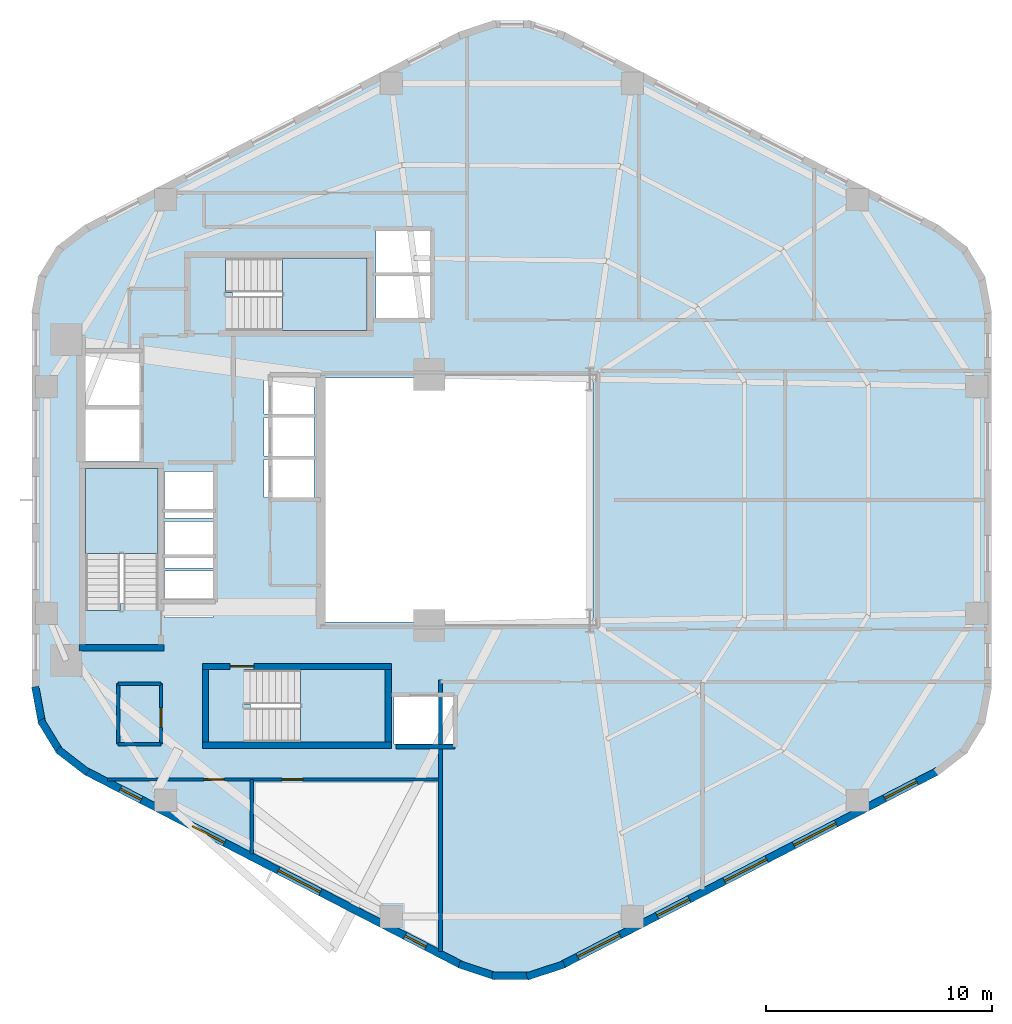
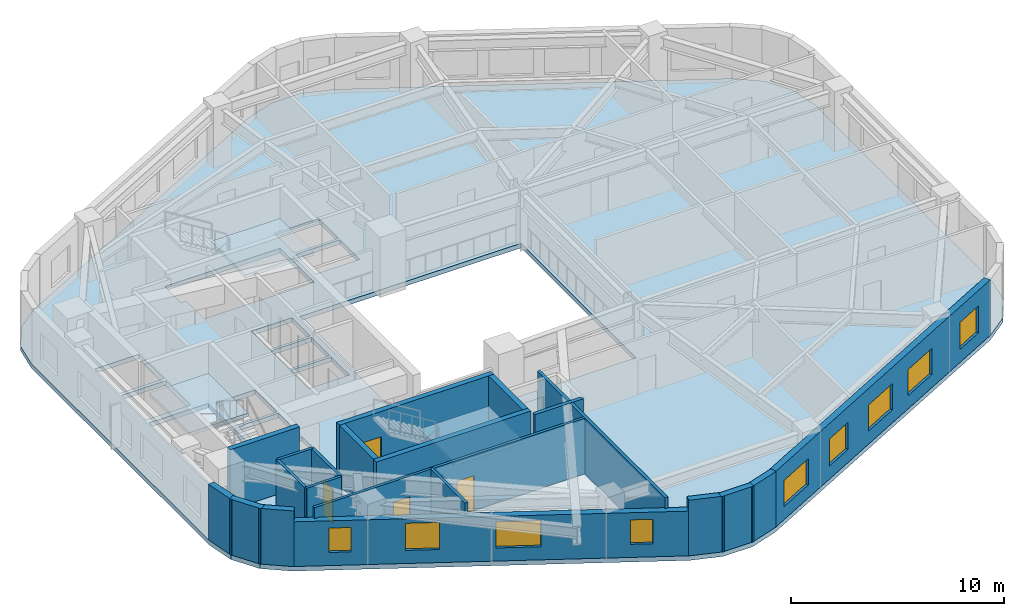
# One storey, part 2 of 6: 21 walls, 9 windows, 4 doors, 4 slabs, 13 openings, 3 elements without a shape of their own.
"""IFC4 building model written with IfcOpenShell, lengths in metres."""

from ifc_helpers import new_model, si_unit, direction, frame, frame_2d, origin, place, context, subcontext, project, spatial, polyline, rectangle, outline, extrude, material, layer, layer_set, type_object, element, fill, aggregate, save


model = new_model("IFC4")

# Units and contexts
model_context = context("Model", 3, precision=1e-05, world=origin(), true_north=direction((0.0, 1.0)))
body_context = subcontext(model_context, "Body", "Model", "MODEL_VIEW")
ifc_project = project(units=[si_unit("LENGTHUNIT", "METRE"), si_unit("AREAUNIT", "SQUARE_METRE"), si_unit("VOLUMEUNIT", "CUBIC_METRE"), si_unit("PLANEANGLEUNIT", "RADIAN"), si_unit("MASSUNIT", "GRAM", prefix="KILO"), si_unit("THERMODYNAMICTEMPERATUREUNIT", "KELVIN"), si_unit("POWERUNIT", "WATT")], contexts=[model_context])

# Site, building, storey
site_placement = place(None, origin())
site = spatial("IfcSite", under=ifc_project, at=site_placement, CompositionType="ELEMENT")
building_placement = place(site_placement, origin())
building = spatial("IfcBuilding", under=site, at=building_placement, Name="Skarre Station Tower", CompositionType="ELEMENT")
storey_placement = place(building_placement, frame((0.0, 0.0, 156.75)))
storey = spatial("IfcBuildingStorey", under=building, at=storey_placement, Name="L42", CompositionType="ELEMENT", Elevation=156.75)

# Stair, slab
ifc_material_1 = material(Name="Concrete C40/50", Category="concrete")
stair_type_1 = type_object("IfcStairType", Name="Reinforced Concrete Exit Stair ST-1", PredefinedType="HALF_TURN_STAIR", material=ifc_material_1)
stair_1_placement = place(storey_placement, origin())
stair_1 = element("IfcStair", 1, at=stair_1_placement, inside=storey, type_object=stair_type_1, Name="L42 Core Exit Stair ST-1", PredefinedType="HALF_TURN_STAIR")
ifc_layer_1 = layer(ifc_material_1, 0.219970703125, Name="Concrete C40/50")
ifc_layer_set_1 = layer_set([ifc_layer_1], Name="Concrete C40/50")
slab_type_1 = type_object("IfcSlabType", Name="Reinforced Concrete Stair & Ramp Landing 220", PredefinedType="LANDING", material=ifc_layer_set_1)
slab_1_placement = place(storey_placement, frame((0.0, 0.0, 1.52490234375)))
slab_1 = element("IfcSlab", 2, at=slab_1_placement, type_object=slab_type_1, Name="ST-1 landing 1", PredefinedType="LANDING", context=body_context, shape_type="SweptSolid", body=[
    extrude(outline(polyline([(20.35009765625, 21.639892578125), (20.35009765625, 25.39990234375), (17.14990234375, 25.39990234375), (17.14990234375, 21.639892578125), (20.35009765625, 21.639892578125)])), origin(), (0.0, 0.0, 1.0), 0.2001953125),
])
aggregate(stair_1, [slab_1])

stair_type_2 = type_object("IfcStairType", Name="Reinforced Concrete Exit Stair ST-2", PredefinedType="HALF_TURN_STAIR", material=ifc_material_1)
stair_2_placement = place(storey_placement, origin())
stair_2 = element("IfcStair", 3, at=stair_2_placement, inside=storey, type_object=stair_type_2, Name="L42 Core Exit Stair ST-2", PredefinedType="HALF_TURN_STAIR")
slab_2_placement = place(storey_placement, frame((0.0, 0.0, 1.52490234375)))
slab_2 = element("IfcSlab", 4, at=slab_2_placement, type_object=slab_type_1, Name="ST-2 landing 1", PredefinedType="LANDING", context=body_context, shape_type="SweptSolid", body=[
    extrude(outline(polyline([(26.669921875, 13.300048828125), (30.39990234375, 13.300048828125), (30.39990234375, 16.5), (26.669921875, 16.5), (26.669921875, 13.300048828125)])), origin(), (0.0, 0.0, 1.0), 0.2001953125),
])
aggregate(stair_2, [slab_2])

stair_type_3 = type_object("IfcStairType", Name="Reinforced Concrete Exit Stair ST-3", PredefinedType="HALF_TURN_STAIR", material=ifc_material_1)
stair_3_placement = place(storey_placement, origin())
stair_3 = element("IfcStair", 5, at=stair_3_placement, inside=storey, type_object=stair_type_3, Name="L42 Core Exit Stair ST-3", PredefinedType="HALF_TURN_STAIR")
slab_3_placement = place(storey_placement, frame((0.0, 0.0, 1.52490234375)))
slab_3 = element("IfcSlab", 6, at=slab_3_placement, type_object=slab_type_1, Name="ST-3 landing 1", PredefinedType="LANDING", context=body_context, shape_type="SweptSolid", body=[
    extrude(outline(polyline([(25.8701171875, 31.5), (29.60009765625, 31.5), (29.60009765625, 34.699951171875), (25.8701171875, 34.699951171875), (25.8701171875, 31.5)])), origin(), (0.0, 0.0, 1.0), 0.2001953125),
])
aggregate(stair_3, [slab_3])

# Slab
ifc_material_2 = material(Name="Concrete C50/60", Category="concrete")
ifc_layer_2 = layer(ifc_material_2, 0.260009765625, Name="Concrete C50/60")
ifc_layer_set_2 = layer_set([ifc_layer_2], Name="Concrete C50/60")
slab_type_2 = type_object("IfcSlabType", Name="Tower Typical Composite Floor Slab 260", PredefinedType="FLOOR", material=ifc_layer_set_2)
slab_4_placement = place(storey_placement, frame((0.0, 0.0, -0.260009765625)))
element("IfcSlab", 7, at=slab_4_placement, inside=storey, type_object=slab_type_2, Name="L42 Zone 2 Structural Floor Slab", PredefinedType="FLOOR", context=body_context, shape_type="SweptSolid", body=[
    extrude(outline(polyline([(57.218017578125, 32.35205078125), (56.93701171875, 33.873046875), (56.132080078125, 35.194091796875), (54.908935546875, 36.14111328125), (38.30908203125, 44.708984375), (36.7958984375, 45.2060546875), (35.2041015625, 45.2060546875), (33.69091796875, 44.708984375), (17.091064453125, 36.14111328125), (15.867919921875, 35.194091796875), (15.06298828125, 33.873046875), (14.781982421875, 32.35205078125), (14.781982421875, 15.64794921875), (15.06298828125, 14.126953125), (15.867919921875, 12.805908203125), (17.091064453125, 11.85888671875), (33.69091796875, 3.291015625), (35.2041015625, 2.7939453125), (36.7958984375, 2.7939453125), (38.30908203125, 3.291015625), (54.908935546875, 11.85888671875), (56.132080078125, 12.805908203125), (56.93701171875, 14.126953125), (57.218017578125, 15.64794921875), (57.218017578125, 32.35205078125)]), holes=[polyline([(18.669921875, 19.419921875), (18.669921875, 19.123046875), (17.14990234375, 19.123046875), (17.14990234375, 25.39990234375), (20.35009765625, 25.39990234375), (20.35009765625, 19.419921875), (18.669921875, 19.419921875)]), polyline([(24.449951171875, 14.97998046875), (24.153076171875, 14.97998046875), (24.153076171875, 16.5), (30.39990234375, 16.5), (30.39990234375, 13.300048828125), (24.449951171875, 13.300048828125), (24.449951171875, 14.97998046875)]), polyline([(23.64990234375, 33.179931640625), (23.35302734375, 33.179931640625), (23.35302734375, 34.699951171875), (29.60009765625, 34.699951171875), (29.60009765625, 31.5), (23.64990234375, 31.5), (23.64990234375, 33.179931640625)]), polyline([(17.14990234375, 28.0), (19.550048828125, 28.0), (19.550048828125, 25.699951171875), (17.14990234375, 25.699951171875), (17.14990234375, 28.0)]), polyline([(17.14990234375, 30.5), (19.550048828125, 30.5), (19.550048828125, 28.199951171875), (17.14990234375, 28.199951171875), (17.14990234375, 30.5)]), polyline([(30.800048828125, 15.300048828125), (33.39990234375, 15.300048828125), (33.39990234375, 13.199951171875), (30.800048828125, 13.199951171875), (30.800048828125, 15.300048828125)]), polyline([(25.050048828125, 25.800048828125), (27.25, 25.800048828125), (27.25, 24.10009765625), (25.050048828125, 24.10009765625), (25.050048828125, 25.800048828125)]), polyline([(25.050048828125, 27.64990234375), (27.25, 27.64990234375), (27.25, 25.949951171875), (25.050048828125, 25.949951171875), (25.050048828125, 27.64990234375)]), polyline([(25.050048828125, 29.5), (27.25, 29.5), (27.25, 27.800048828125), (25.050048828125, 27.800048828125), (25.050048828125, 29.5)]), polyline([(20.64990234375, 20.85009765625), (22.800048828125, 20.85009765625), (22.800048828125, 18.800048828125), (20.64990234375, 18.800048828125), (20.64990234375, 20.85009765625)]), polyline([(20.64990234375, 23.050048828125), (22.800048828125, 23.050048828125), (22.800048828125, 21.0), (20.64990234375, 21.0), (20.64990234375, 23.050048828125)]), polyline([(20.64990234375, 25.25), (22.800048828125, 25.25), (22.800048828125, 23.199951171875), (20.64990234375, 23.199951171875), (20.64990234375, 25.25)]), polyline([(30.0, 33.89990234375), (32.39990234375, 33.89990234375), (32.39990234375, 32.050048828125), (30.0, 32.050048828125), (30.0, 33.89990234375)]), polyline([(30.0, 35.89990234375), (32.39990234375, 35.89990234375), (32.39990234375, 34.050048828125), (30.0, 34.050048828125), (30.0, 35.89990234375)]), polyline([(27.60009765625, 29.39990234375), (39.60009765625, 29.39990234375), (39.60009765625, 18.60009765625), (27.60009765625, 18.60009765625), (27.60009765625, 29.39990234375)])]), origin(), (0.0, 0.0, 1.0), 0.260009765625),
])

# Walls
ifc_material_3 = material(Name="Acoustic Steel-Stud Gypsum Partition", Category="steel")
ifc_layer_3 = layer(ifc_material_3, 0.14990234375, Name="Acoustic Steel-Stud Gypsum Partition")
ifc_layer_set_3 = layer_set([ifc_layer_3], Name="Acoustic Steel-Stud Gypsum Partition")
wall_type_1 = type_object("IfcWallType", Name="Fire-Rated Corridor Acoustic Partition 150", PredefinedType="PARTITIONING", material=ifc_layer_set_3)
wall_1_placement = place(storey_placement, frame((18.60009765625, 15.8798828125, 0.0), z_axis=(0.0, 0.0, 1.0), x_axis=(0.0, -1.0, 0.0)))
element("IfcWall", 8, at=wall_1_placement, inside=storey, type_object=wall_type_1, Name="L42 Interior Partition WL-PT-L42-CSVC-W", PredefinedType="PARTITIONING", context=body_context, shape_type="SweptSolid", body=[
    extrude(rectangle(XDim=2.679931640625, YDim=0.14990234375, at=frame_2d((1.33984375, 0.0))), origin(), (0.0, 0.0, 1.0), 3.18994140625),
])
for number, where, z_axis, x_axis, name in (
    (9, (18.60009765625, 13.199951171875, 0.0), (0.0, 0.0, 1.0), (1.0, 0.0, 0.0), "L42 Interior Partition WL-PT-L42-CSVC-S"),
    (10, (18.60009765625, 15.8798828125, 0.0), (0.0, 0.0, 1.0), (1.0, 0.0, 0.0), "L42 Interior Partition WL-PT-L42-CSVC-N"),
):
    element("IfcWall", number, at=place(storey_placement, frame(where, z_axis=z_axis, x_axis=x_axis)), inside=storey, type_object=wall_type_1, Name=name, PredefinedType="PARTITIONING", context=body_context, shape_type="SweptSolid", body=[
        extrude(rectangle(XDim=1.889892578125, YDim=0.14990234375, at=frame_2d((0.94482421875, 0.0))), origin(), (0.0, 0.0, 1.0), 3.18994140625),
    ])

# Wall, opening, door
wall_2_placement = place(storey_placement, frame((20.489990234375, 13.199951171875, 0.0), z_axis=(0.0, 0.0, 1.0), x_axis=(0.0, 1.0, 0.0)))
wall_2 = element("IfcWall", 11, at=wall_2_placement, inside=storey, type_object=wall_type_1, Name="L42 Interior Partition WL-PT-L42-CSVC-E", PredefinedType="PARTITIONING", context=body_context, shape_type="SweptSolid", body=[
    extrude(rectangle(XDim=2.679931640625, YDim=0.14990234375, at=frame_2d((1.33984375, 0.0))), origin(), (0.0, 0.0, 1.0), 3.18994140625),
])
opening_1_placement = place(wall_2_placement, frame((0.75, 0.0, 0.0)))
opening_1 = element("IfcOpeningElement", 12, at=opening_1_placement, cuts=wall_2, Name="Opening DR-SVC86", PredefinedType="OPENING", context=body_context, shape_type="SweptSolid", body=[
    extrude(rectangle(XDim=0.860107421875, YDim=2.0, at=frame_2d((0.43017578125, 1.0))), frame((0.0, 0.0849609375, 0.0), z_axis=(0.0, -1.0, 0.0), x_axis=(1.0, 0.0, 0.0)), (0.0, 0.0, 1.0), 0.169921875),
])
ifc_material_4 = material(Name="Powder-Coated Hollow-Metal Acoustic Fire Leaf", Category="steel")
door_type_1 = type_object("IfcDoorType", Name="Compact Riser Fire Door FD60 860x2100", OperationType="SINGLE_SWING_LEFT", PredefinedType="DOOR", material=ifc_material_4)
door_1_placement = place(opening_1_placement, origin())
door_1 = element("IfcDoor", 13, at=door_1_placement, inside=storey, type_object=door_type_1, Name="L42 Supply Room Door", OperationType="SINGLE_SWING_LEFT", OverallHeight=2.0, OverallWidth=0.860107421875, PredefinedType="DOOR", context=body_context, shape_type="SweptSolid", body=[
    extrude(rectangle(XDim=0.860107421875, YDim=2.0, at=frame_2d((0.43017578125, 1.0))), frame((0.0, 0.02490234375, 0.0), z_axis=(0.0, -1.0, 0.0), x_axis=(1.0, 0.0, 0.0)), (0.0, 0.0, 1.0), 0.050048828125),
])
fill(opening_1, door_1)

# Wall
wall_3_placement = place(storey_placement, frame((24.5, 8.35009765625, 0.0), z_axis=(0.0, 0.0, 1.0), x_axis=(0.0, 1.0, 0.0)))
element("IfcWall", 14, at=wall_3_placement, inside=storey, type_object=wall_type_1, Name="L42 Interior Partition WL-PT-L42-SWP-M", PredefinedType="PARTITIONING", context=body_context, shape_type="SweptSolid", body=[
    extrude(rectangle(XDim=3.289794921875, YDim=0.14990234375, at=frame_2d((1.64501953125, 0.0))), origin(), (0.0, 0.0, 1.0), 3.18994140625),
])

# Wall, openings, doors
wall_4_placement = place(storey_placement, frame((18.1259765625, 11.639892578125, 0.0), z_axis=(0.0, 0.0, 1.0), x_axis=(1.0, 0.0, 0.0)))
wall_4 = element("IfcWall", 15, at=wall_4_placement, inside=storey, type_object=wall_type_1, Name="L42 Interior Partition WL-PT-L42-SWP-N", PredefinedType="PARTITIONING", context=body_context, shape_type="SweptSolid", body=[
    extrude(rectangle(XDim=14.72412109375, YDim=0.14990234375, at=frame_2d((7.362060546875, 0.0))), origin(), (0.0, 0.0, 1.0), 3.18994140625),
])
opening_2_placement = place(wall_4_placement, frame((4.27392578125, 0.0, 0.0)))
opening_2 = element("IfcOpeningElement", 16, at=opening_2_placement, cuts=wall_4, Name="Opening DR-SVC90", PredefinedType="OPENING", context=body_context, shape_type="SweptSolid", body=[
    extrude(rectangle(XDim=0.89990234375, YDim=2.0, at=frame_2d((0.449951171875, 1.0))), frame((0.0, 0.0849609375, 0.0), z_axis=(0.0, -1.0, 0.0), x_axis=(1.0, 0.0, 0.0)), (0.0, 0.0, 1.0), 0.169921875),
])
opening_3_placement = place(wall_4_placement, frame((7.72412109375, 0.0, 0.0)))
opening_3 = element("IfcOpeningElement", 17, at=opening_3_placement, cuts=wall_4, Name="Opening DR-SVC90", PredefinedType="OPENING", context=body_context, shape_type="SweptSolid", body=[
    extrude(rectangle(XDim=0.89990234375, YDim=2.0, at=frame_2d((0.449951171875, 1.0))), frame((0.0, 0.0849609375, 0.0), z_axis=(0.0, -1.0, 0.0), x_axis=(1.0, 0.0, 0.0)), (0.0, 0.0, 1.0), 0.169921875),
])
door_type_2 = type_object("IfcDoorType", Name="Service & Riser Fire Door FD60 900x2100", OperationType="SINGLE_SWING_LEFT", PredefinedType="DOOR", material=ifc_material_4)
door_2_placement = place(opening_2_placement, origin())
door_2 = element("IfcDoor", 18, at=door_2_placement, inside=storey, type_object=door_type_2, Name="L42 Floor Public Toilets Door", OperationType="SINGLE_SWING_LEFT", OverallHeight=2.0, OverallWidth=0.89990234375, PredefinedType="DOOR", context=body_context, shape_type="SweptSolid", body=[
    extrude(rectangle(XDim=0.89990234375, YDim=2.0, at=frame_2d((0.449951171875, 1.0))), frame((0.0, 0.02490234375, 0.0), z_axis=(0.0, -1.0, 0.0), x_axis=(1.0, 0.0, 0.0)), (0.0, 0.0, 1.0), 0.050048828125),
])
fill(opening_2, door_2)
door_3_placement = place(opening_3_placement, origin())
door_3 = element("IfcDoor", 19, at=door_3_placement, inside=storey, type_object=door_type_2, Name="L42 Housekeeping Room Door", OperationType="SINGLE_SWING_LEFT", OverallHeight=2.0, OverallWidth=0.89990234375, PredefinedType="DOOR", context=body_context, shape_type="SweptSolid", body=[
    extrude(rectangle(XDim=0.89990234375, YDim=2.0, at=frame_2d((0.449951171875, 1.0))), frame((0.0, 0.02490234375, 0.0), z_axis=(0.0, -1.0, 0.0), x_axis=(1.0, 0.0, 0.0)), (0.0, 0.0, 1.0), 0.050048828125),
])
fill(opening_3, door_3)

# Wall, openings, windows
ifc_material_5 = material(Name="Precast concrete C45/55", Category="concrete")
ifc_layer_4 = layer(ifc_material_5, 0.340087890625, Name="Precast concrete C45/55")
ifc_layer_set_4 = layer_set([ifc_layer_4], Name="Precast concrete C45/55")
wall_type_2 = type_object("IfcWallType", Name="Nordic Honed Precast Facet Wall 340", PredefinedType="STANDARD", material=ifc_layer_set_4)
wall_5_placement = place(storey_placement, frame((33.76904296875, 3.44189453125, 0.0), z_axis=(0.0, 0.0, 1.0), x_axis=(-0.888613612362, 0.458656568606, 0.0)))
wall_5 = element("IfcWall", 20, at=wall_5_placement, inside=storey, type_object=wall_type_2, Name="L42 Facet 3 Nordic Precast Masonry Wall", PredefinedType="STANDARD", context=body_context, shape_type="SweptSolid", body=[
    extrude(rectangle(XDim=18.680908203125, YDim=0.340087890625, at=frame_2d((9.34033203125, 0.0))), origin(), (0.0, 0.0, 1.0), 2.56201171875),
])
opening_4_placement = place(wall_5_placement, frame((1.75, 0.0, 0.75)))
opening_4 = element("IfcOpeningElement", 21, at=opening_4_placement, cuts=wall_5, Name="Opening WN-SLT", PredefinedType="OPENING", context=body_context, shape_type="SweptSolid", body=[
    extrude(rectangle(XDim=1.050048828125, YDim=1.39990234375, at=frame_2d((0.52490234375, 0.699951171875))), frame((0.0, 0.179931640625, 0.0), z_axis=(0.0, -1.0, 0.0), x_axis=(1.0, 0.0, 0.0)), (0.0, 0.0, 1.0), 0.360107421875),
])
opening_5_placement = place(wall_5_placement, frame((7.007080078125, 0.0, 0.75)))
opening_5 = element("IfcOpeningElement", 22, at=opening_5_placement, cuts=wall_5, Name="Opening WN-Z2B", PredefinedType="OPENING", context=body_context, shape_type="SweptSolid", body=[
    extrude(rectangle(XDim=2.10009765625, YDim=1.5, at=frame_2d((1.050048828125, 0.75))), frame((0.0, 0.179931640625, 0.0), z_axis=(0.0, -1.0, 0.0), x_axis=(1.0, 0.0, 0.0)), (0.0, 0.0, 1.0), 0.360107421875),
])
opening_6_placement = place(wall_5_placement, frame((11.77392578125, 0.0, 0.75)))
opening_6 = element("IfcOpeningElement", 23, at=opening_6_placement, cuts=wall_5, Name="Opening WN-Z2A", PredefinedType="OPENING", context=body_context, shape_type="SweptSolid", body=[
    extrude(rectangle(XDim=1.60009765625, YDim=1.550048828125, at=frame_2d((0.800048828125, 0.77490234375))), frame((0.0, 0.179931640625, 0.0), z_axis=(0.0, -1.0, 0.0), x_axis=(1.0, 0.0, 0.0)), (0.0, 0.0, 1.0), 0.360107421875),
])
opening_7_placement = place(wall_5_placement, frame((15.919921875, 0.0, 0.75)))
opening_7 = element("IfcOpeningElement", 24, at=opening_7_placement, cuts=wall_5, Name="Opening WN-SLT", PredefinedType="OPENING", context=body_context, shape_type="SweptSolid", body=[
    extrude(rectangle(XDim=1.050048828125, YDim=1.39990234375, at=frame_2d((0.52490234375, 0.699951171875))), frame((0.0, 0.179931640625, 0.0), z_axis=(0.0, -1.0, 0.0), x_axis=(1.0, 0.0, 0.0)), (0.0, 0.0, 1.0), 0.360107421875),
])
ifc_material_6 = material(Name="Low-Iron Triple Glazing with Bronze Anodized Frame", Category="glass")
window_type_1 = type_object("IfcWindowType", Name="Nordic Corner Slot Window 1050x1400", PartitioningType="SINGLE_PANEL", PredefinedType="WINDOW", material=ifc_material_6)
window_1_placement = place(opening_4_placement, origin())
window_1 = element("IfcWindow", 25, at=window_1_placement, inside=storey, type_object=window_type_1, Name="L42 Facade Window WL-FAC-L42-F3-1", OverallHeight=1.39990234375, OverallWidth=1.050048828125, PartitioningType="SINGLE_PANEL", PredefinedType="WINDOW", context=body_context, shape_type="SweptSolid", body=[
    extrude(rectangle(XDim=1.050048828125, YDim=1.39990234375, at=frame_2d((0.52490234375, 0.699951171875))), frame((0.0, 0.030029296875, 0.0), z_axis=(0.0, -1.0, 0.0), x_axis=(1.0, 0.0, 0.0)), (0.0, 0.0, 1.0), 0.06005859375),
])
fill(opening_4, window_1)
window_2_placement = place(opening_7_placement, origin())
window_2 = element("IfcWindow", 26, at=window_2_placement, inside=storey, type_object=window_type_1, Name="L42 Facade Window WL-FAC-L42-F3-4", OverallHeight=1.39990234375, OverallWidth=1.050048828125, PartitioningType="SINGLE_PANEL", PredefinedType="WINDOW", context=body_context, shape_type="SweptSolid", body=[
    extrude(rectangle(XDim=1.050048828125, YDim=1.39990234375, at=frame_2d((0.52490234375, 0.699951171875))), frame((0.0, 0.030029296875, 0.0), z_axis=(0.0, -1.0, 0.0), x_axis=(1.0, 0.0, 0.0)), (0.0, 0.0, 1.0), 0.06005859375),
])
fill(opening_7, window_2)
window_type_2 = type_object("IfcWindowType", Name="Nordic Residential Tall Window 1600x1550", PartitioningType="SINGLE_PANEL", PredefinedType="WINDOW", material=ifc_material_6)
window_3_placement = place(opening_6_placement, origin())
window_3 = element("IfcWindow", 27, at=window_3_placement, inside=storey, type_object=window_type_2, Name="L42 Facade Window WL-FAC-L42-F3-3", OverallHeight=1.550048828125, OverallWidth=1.60009765625, PartitioningType="SINGLE_PANEL", PredefinedType="WINDOW", context=body_context, shape_type="SweptSolid", body=[
    extrude(rectangle(XDim=1.60009765625, YDim=1.550048828125, at=frame_2d((0.800048828125, 0.77490234375))), frame((0.0, 0.030029296875, 0.0), z_axis=(0.0, -1.0, 0.0), x_axis=(1.0, 0.0, 0.0)), (0.0, 0.0, 1.0), 0.06005859375),
])
fill(opening_6, window_3)
window_type_3 = type_object("IfcWindowType", Name="Nordic Residential Twin Window 2100x1500", PartitioningType="SINGLE_PANEL", PredefinedType="WINDOW", material=ifc_material_6)
window_4_placement = place(opening_5_placement, origin())
window_4 = element("IfcWindow", 28, at=window_4_placement, inside=storey, type_object=window_type_3, Name="L42 Facade Window WL-FAC-L42-F3-2", OverallHeight=1.5, OverallWidth=2.10009765625, PartitioningType="SINGLE_PANEL", PredefinedType="WINDOW", context=body_context, shape_type="SweptSolid", body=[
    extrude(rectangle(XDim=2.10009765625, YDim=1.5, at=frame_2d((1.050048828125, 0.75))), frame((0.0, 0.030029296875, 0.0), z_axis=(0.0, -1.0, 0.0), x_axis=(1.0, 0.0, 0.0)), (0.0, 0.0, 1.0), 0.06005859375),
])
fill(opening_5, window_4)

wall_6_placement = place(storey_placement, frame((54.8310546875, 12.010009765625, 0.0), z_axis=(0.0, 0.0, 1.0), x_axis=(-0.888613612362, -0.458656568606, 0.0)))
wall_6 = element("IfcWall", 29, at=wall_6_placement, inside=storey, type_object=wall_type_2, Name="L42 Facet 4 Nordic Precast Masonry Wall", PredefinedType="STANDARD", context=body_context, shape_type="SweptSolid", body=[
    extrude(rectangle(XDim=18.680908203125, YDim=0.340087890625, at=frame_2d((9.34033203125, 0.0))), origin(), (0.0, 0.0, 1.0), 3.18994140625),
])
opening_8_placement = place(wall_6_placement, frame((1.02294921875, 0.0, 0.75)))
opening_8 = element("IfcOpeningElement", 30, at=opening_8_placement, cuts=wall_6, Name="Opening WN-Z2A", PredefinedType="OPENING", context=body_context, shape_type="SweptSolid", body=[
    extrude(rectangle(XDim=1.60009765625, YDim=1.550048828125, at=frame_2d((0.800048828125, 0.77490234375))), frame((0.0, 0.179931640625, 0.0), z_axis=(0.0, -1.0, 0.0), x_axis=(1.0, 0.0, 0.0)), (0.0, 0.0, 1.0), 0.360107421875),
])
opening_9_placement = place(wall_6_placement, frame((5.050048828125, 0.0, 0.75)))
opening_9 = element("IfcOpeningElement", 31, at=opening_9_placement, cuts=wall_6, Name="Opening WN-Z2B", PredefinedType="OPENING", context=body_context, shape_type="SweptSolid", body=[
    extrude(rectangle(XDim=2.10009765625, YDim=1.5, at=frame_2d((1.050048828125, 0.75))), frame((0.0, 0.179931640625, 0.0), z_axis=(0.0, -1.0, 0.0), x_axis=(1.0, 0.0, 0.0)), (0.0, 0.0, 1.0), 0.360107421875),
])
opening_10_placement = place(wall_6_placement, frame((8.4970703125, 0.0, 0.75)))
opening_10 = element("IfcOpeningElement", 32, at=opening_10_placement, cuts=wall_6, Name="Opening WN-Z2B", PredefinedType="OPENING", context=body_context, shape_type="SweptSolid", body=[
    extrude(rectangle(XDim=2.10009765625, YDim=1.5, at=frame_2d((1.050048828125, 0.75))), frame((0.0, 0.179931640625, 0.0), z_axis=(0.0, -1.0, 0.0), x_axis=(1.0, 0.0, 0.0)), (0.0, 0.0, 1.0), 0.360107421875),
])
opening_11_placement = place(wall_6_placement, frame((12.35009765625, 0.0, 0.75)))
opening_11 = element("IfcOpeningElement", 33, at=opening_11_placement, cuts=wall_6, Name="Opening WN-Z2A", PredefinedType="OPENING", context=body_context, shape_type="SweptSolid", body=[
    extrude(rectangle(XDim=1.60009765625, YDim=1.550048828125, at=frame_2d((0.800048828125, 0.77490234375))), frame((0.0, 0.179931640625, 0.0), z_axis=(0.0, -1.0, 0.0), x_axis=(1.0, 0.0, 0.0)), (0.0, 0.0, 1.0), 0.360107421875),
])
opening_12_placement = place(wall_6_placement, frame((15.80810546875, 0.0, 0.75)))
opening_12 = element("IfcOpeningElement", 34, at=opening_12_placement, cuts=wall_6, Name="Opening WN-Z2B", PredefinedType="OPENING", context=body_context, shape_type="SweptSolid", body=[
    extrude(rectangle(XDim=2.10009765625, YDim=1.5, at=frame_2d((1.050048828125, 0.75))), frame((0.0, 0.179931640625, 0.0), z_axis=(0.0, -1.0, 0.0), x_axis=(1.0, 0.0, 0.0)), (0.0, 0.0, 1.0), 0.360107421875),
])
window_5_placement = place(opening_8_placement, origin())
window_5 = element("IfcWindow", 35, at=window_5_placement, inside=storey, type_object=window_type_2, Name="L42 Facade Window WL-FAC-L42-F4-1", OverallHeight=1.550048828125, OverallWidth=1.60009765625, PartitioningType="SINGLE_PANEL", PredefinedType="WINDOW", context=body_context, shape_type="SweptSolid", body=[
    extrude(rectangle(XDim=1.60009765625, YDim=1.550048828125, at=frame_2d((0.800048828125, 0.77490234375))), frame((0.0, 0.030029296875, 0.0), z_axis=(0.0, -1.0, 0.0), x_axis=(1.0, 0.0, 0.0)), (0.0, 0.0, 1.0), 0.06005859375),
])
fill(opening_8, window_5)
window_6_placement = place(opening_11_placement, origin())
window_6 = element("IfcWindow", 36, at=window_6_placement, inside=storey, type_object=window_type_2, Name="L42 Facade Window WL-FAC-L42-F4-4", OverallHeight=1.550048828125, OverallWidth=1.60009765625, PartitioningType="SINGLE_PANEL", PredefinedType="WINDOW", context=body_context, shape_type="SweptSolid", body=[
    extrude(rectangle(XDim=1.60009765625, YDim=1.550048828125, at=frame_2d((0.800048828125, 0.77490234375))), frame((0.0, 0.030029296875, 0.0), z_axis=(0.0, -1.0, 0.0), x_axis=(1.0, 0.0, 0.0)), (0.0, 0.0, 1.0), 0.06005859375),
])
fill(opening_11, window_6)
window_7_placement = place(opening_9_placement, origin())
window_7 = element("IfcWindow", 37, at=window_7_placement, inside=storey, type_object=window_type_3, Name="L42 Facade Window WL-FAC-L42-F4-2", OverallHeight=1.5, OverallWidth=2.10009765625, PartitioningType="SINGLE_PANEL", PredefinedType="WINDOW", context=body_context, shape_type="SweptSolid", body=[
    extrude(rectangle(XDim=2.10009765625, YDim=1.5, at=frame_2d((1.050048828125, 0.75))), frame((0.0, 0.030029296875, 0.0), z_axis=(0.0, -1.0, 0.0), x_axis=(1.0, 0.0, 0.0)), (0.0, 0.0, 1.0), 0.06005859375),
])
fill(opening_9, window_7)
window_8_placement = place(opening_10_placement, origin())
window_8 = element("IfcWindow", 38, at=window_8_placement, inside=storey, type_object=window_type_3, Name="L42 Facade Window WL-FAC-L42-F4-3", OverallHeight=1.5, OverallWidth=2.10009765625, PartitioningType="SINGLE_PANEL", PredefinedType="WINDOW", context=body_context, shape_type="SweptSolid", body=[
    extrude(rectangle(XDim=2.10009765625, YDim=1.5, at=frame_2d((1.050048828125, 0.75))), frame((0.0, 0.030029296875, 0.0), z_axis=(0.0, -1.0, 0.0), x_axis=(1.0, 0.0, 0.0)), (0.0, 0.0, 1.0), 0.06005859375),
])
fill(opening_10, window_8)
window_9_placement = place(opening_12_placement, origin())
window_9 = element("IfcWindow", 39, at=window_9_placement, inside=storey, type_object=window_type_3, Name="L42 Facade Window WL-FAC-L42-F4-5", OverallHeight=1.5, OverallWidth=2.10009765625, PartitioningType="SINGLE_PANEL", PredefinedType="WINDOW", context=body_context, shape_type="SweptSolid", body=[
    extrude(rectangle(XDim=2.10009765625, YDim=1.5, at=frame_2d((1.050048828125, 0.75))), frame((0.0, 0.030029296875, 0.0), z_axis=(0.0, -1.0, 0.0), x_axis=(1.0, 0.0, 0.0)), (0.0, 0.0, 1.0), 0.06005859375),
])
fill(opening_12, window_9)

# Walls
ifc_layer_5 = layer(ifc_material_5, 0.330078125, Name="Precast concrete C45/55")
ifc_layer_set_5 = layer_set([ifc_layer_5], Name="Precast concrete C45/55")
wall_type_3 = type_object("IfcWallType", Name="Nordic Rounded Corner Precast Wall 330", PredefinedType="STANDARD", material=ifc_layer_set_5)
wall_7_placement = place(storey_placement, frame((17.242919921875, 11.949951171875, 0.0), z_axis=(0.0, 0.0, 1.0), x_axis=(-0.790621329885, 0.612305408053, 0.0)))
element("IfcWall", 40, at=wall_7_placement, inside=storey, type_object=wall_type_3, Name="L42 Rounded Corner Precast Wall F3-1", PredefinedType="STANDARD", context=body_context, shape_type="SweptSolid", body=[
    extrude(rectangle(XDim=1.67578125, YDim=0.330078125, at=frame_2d((0.837890625, 0.0))), origin(), (0.0, 0.0, 1.0), 3.18994140625),
])
wall_8_placement = place(storey_placement, frame((16.04296875, 12.8359375, 0.0), z_axis=(0.0, 0.0, 1.0), x_axis=(-0.520519429557, 0.853849824883, 0.0)))
element("IfcWall", 41, at=wall_8_placement, inside=storey, type_object=wall_type_3, Name="L42 Rounded Corner Precast Wall F3-2", PredefinedType="STANDARD", context=body_context, shape_type="SweptSolid", body=[
    extrude(rectangle(XDim=1.67724609375, YDim=0.330078125, at=frame_2d((0.838623046875, 0.0))), origin(), (0.0, 0.0, 1.0), 3.18994140625),
])
wall_9_placement = place(storey_placement, frame((15.237060546875, 14.093017578125, 0.0), z_axis=(0.0, 0.0, 1.0), x_axis=(-0.181984991895, 0.983301308209, 0.0)))
element("IfcWall", 42, at=wall_9_placement, inside=storey, type_object=wall_type_3, Name="L42 Rounded Corner Precast Wall F3-3", PredefinedType="STANDARD", context=body_context, shape_type="SweptSolid", body=[
    extrude(rectangle(XDim=1.677001953125, YDim=0.330078125, at=frame_2d((0.83837890625, 0.0))), origin(), (0.0, 0.0, 1.0), 3.18994140625),
])
for number, where, z_axis, x_axis, name in (
    (43, (38.319091796875, 3.468017578125, 0.0), (0.0, 0.0, 1.0), (-0.949937416267, -0.312440242569, 0.0), "L42 Rounded Corner Precast Wall F4-1"),
    (44, (36.861083984375, 2.958984375, 0.0), (0.0, 0.0, 1.0), (-1.0, 0.0, 0.0), "L42 Rounded Corner Precast Wall F4-2"),
    (45, (35.31689453125, 2.929931640625, 0.0), (0.0, 0.0, 1.0), (-0.949937416267, 0.312440242569, 0.0), "L42 Rounded Corner Precast Wall F4-3"),
):
    element("IfcWall", number, at=place(storey_placement, frame(where, z_axis=z_axis, x_axis=x_axis)), inside=storey, type_object=wall_type_3, Name=name, PredefinedType="STANDARD", context=body_context, shape_type="SweptSolid", body=[
        extrude(rectangle(XDim=1.72216796875, YDim=0.330078125, at=frame_2d((0.861083984375, 0.0))), origin(), (0.0, 0.0, 1.0), 3.18994140625),
    ])
ifc_layer_6 = layer(ifc_material_2, 0.280029296875, Name="Concrete C50/60")
ifc_layer_set_6 = layer_set([ifc_layer_6], Name="Concrete C50/60")
wall_type_4 = type_object("IfcWallType", Name="RC Core Shear Wall 280", PredefinedType="SHEAR", material=ifc_layer_set_6)
wall_10_placement = place(storey_placement, frame((16.8701171875, 17.4599609375, 0.0), z_axis=(0.0, 0.0, 1.0), x_axis=(1.0, 0.0, 0.0)))
element("IfcWall", 46, at=wall_10_placement, inside=storey, type_object=wall_type_4, Name="L42 Stair ST-1 South Shear Wall", PredefinedType="SHEAR", context=body_context, shape_type="SweptSolid", body=[
    extrude(rectangle(XDim=3.759765625, YDim=0.280029296875, at=frame_2d((1.8798828125, 0.0))), origin(), (0.0, 0.0, 1.0), 3.449951171875),
])
wall_11_placement = place(storey_placement, frame((22.320068359375, 13.159912109375, 0.0), z_axis=(0.0, 0.0, 1.0), x_axis=(1.0, 0.0, 0.0)))
element("IfcWall", 47, at=wall_11_placement, inside=storey, type_object=wall_type_4, Name="L42 Stair ST-2 South Shear Wall", PredefinedType="SHEAR", context=body_context, shape_type="SweptSolid", body=[
    extrude(rectangle(XDim=8.35986328125, YDim=0.280029296875, at=frame_2d((4.179931640625, 0.0))), origin(), (0.0, 0.0, 1.0), 3.449951171875),
])

# Wall, opening, door
wall_12_placement = place(storey_placement, frame((30.679931640625, 16.639892578125, 0.0), z_axis=(0.0, 0.0, 1.0), x_axis=(-1.0, 0.0, 0.0)))
wall_12 = element("IfcWall", 48, at=wall_12_placement, inside=storey, type_object=wall_type_4, Name="L42 Stair ST-2 North Shear Wall", PredefinedType="SHEAR", context=body_context, shape_type="SweptSolid", body=[
    extrude(rectangle(XDim=8.35986328125, YDim=0.280029296875, at=frame_2d((4.179931640625, 0.0))), origin(), (0.0, 0.0, 1.0), 3.449951171875),
])
opening_13_placement = place(wall_12_placement, frame((6.080078125, 0.0, 0.0)))
opening_13 = element("IfcOpeningElement", 49, at=opening_13_placement, cuts=wall_12, Name="Opening DR-FD90", PredefinedType="OPENING", context=body_context, shape_type="SweptSolid", body=[
    extrude(rectangle(XDim=1.050048828125, YDim=2.0, at=frame_2d((0.52490234375, 1.0))), frame((0.0, 0.14990234375, 0.0), z_axis=(0.0, -1.0, 0.0), x_axis=(1.0, 0.0, 0.0)), (0.0, 0.0, 1.0), 0.300048828125),
])
ifc_material_7 = material(Name="Fire-Rated Insulated Steel Frame & Timber Core Leaf", Category="steel")
door_type_3 = type_object("IfcDoorType", Name="Stair & FSAE Lobby Fire Door FD90 1050x2150", OperationType="SINGLE_SWING_RIGHT", PredefinedType="DOOR", material=ifc_material_7)
door_4_placement = place(opening_13_placement, origin())
door_4 = element("IfcDoor", 50, at=door_4_placement, inside=storey, type_object=door_type_3, Name="L42 Stair ST-2 Exit Door", OperationType="SINGLE_SWING_RIGHT", OverallHeight=2.0, OverallWidth=1.050048828125, PredefinedType="DOOR", context=body_context, shape_type="SweptSolid", body=[
    extrude(rectangle(XDim=1.050048828125, YDim=2.0, at=frame_2d((0.52490234375, 1.0))), frame((0.0, 0.02490234375, 0.0), z_axis=(0.0, -1.0, 0.0), x_axis=(1.0, 0.0, 0.0)), (0.0, 0.0, 1.0), 0.050048828125),
])
fill(opening_13, door_4)

# Walls
for number, where, z_axis, x_axis, name in (
    (51, (22.4599609375, 16.5, 0.0), (0.0, 0.0, 1.0), (0.0, -1.0, 0.0), "L42 Stair ST-2 West Shear Wall"),
    (52, (30.5400390625, 13.300048828125, 0.0), (0.0, 0.0, 1.0), (0.0, 1.0, 0.0), "L42 Stair ST-2 East Shear Wall"),
):
    element("IfcWall", number, at=place(storey_placement, frame(where, z_axis=z_axis, x_axis=x_axis)), inside=storey, type_object=wall_type_4, Name=name, PredefinedType="SHEAR", context=body_context, shape_type="SweptSolid", body=[
        extrude(rectangle(XDim=3.199951171875, YDim=0.280029296875, at=frame_2d((1.60009765625, 0.0))), origin(), (0.0, 0.0, 1.0), 3.449951171875),
    ])
ifc_material_8 = material(Name="Gypsum Concrete Shaft Assembly C30/37", Category="concrete")
ifc_layer_7 = layer(ifc_material_8, 0.199951171875, Name="Gypsum Concrete Shaft Assembly C30/37")
ifc_layer_set_7 = layer_set([ifc_layer_7], Name="Gypsum Concrete Shaft Assembly C30/37")
wall_type_5 = type_object("IfcWallType", Name="Shaft & Core Fire Partition 200", PredefinedType="PARTITIONING", material=ifc_layer_set_7)
wall_13_placement = place(storey_placement, frame((30.87890625, 13.080078125, 0.0), z_axis=(0.0, 0.0, 1.0), x_axis=(1.0, 0.0, 0.0)))
element("IfcWall", 53, at=wall_13_placement, inside=storey, type_object=wall_type_5, Name="L42 Interior Partition WL-PT-L42-SV1-S", PredefinedType="PARTITIONING", context=body_context, shape_type="SweptSolid", body=[
    extrude(rectangle(XDim=2.62109375, YDim=0.199951171875, at=frame_2d((1.310546875, 0.0))), origin(), (0.0, 0.0, 1.0), 3.18994140625),
])
ifc_layer_8 = layer(ifc_material_3, 0.1650390625, Name="Acoustic Steel-Stud Gypsum Partition")
ifc_layer_set_8 = layer_set([ifc_layer_8], Name="Acoustic Steel-Stud Gypsum Partition")
wall_type_6 = type_object("IfcWallType", Name="Suite Demising Acoustic Partition 165", PredefinedType="PARTITIONING", material=ifc_layer_set_8)
wall_14_placement = place(storey_placement, frame((32.85009765625, 4.0400390625, 0.0), z_axis=(0.0, 0.0, 1.0), x_axis=(0.0, 1.0, 0.0)))
element("IfcWall", 54, at=wall_14_placement, inside=storey, type_object=wall_type_6, Name="L42 Interior Partition WL-PT-L42-SWP-E", PredefinedType="PARTITIONING", context=body_context, shape_type="SweptSolid", body=[
    extrude(rectangle(XDim=11.989990234375, YDim=0.1650390625, at=frame_2d((5.9951171875, 0.0))), origin(), (0.0, 0.0, 1.0), 3.18994140625),
])

save(model, "model.ifc")
